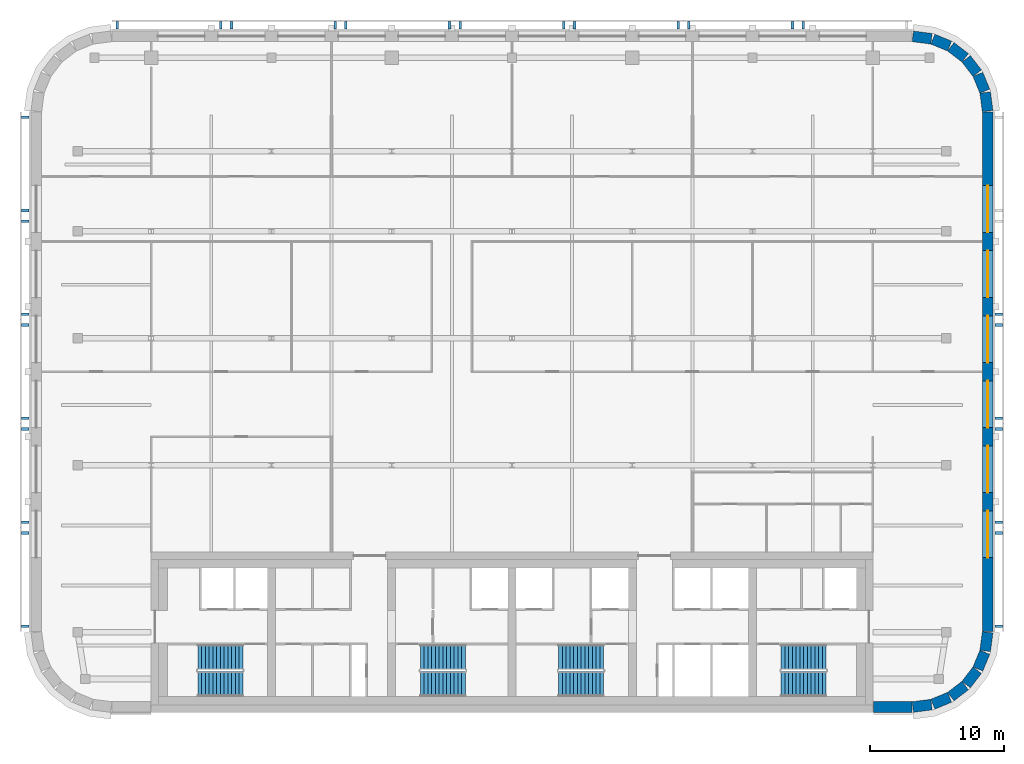
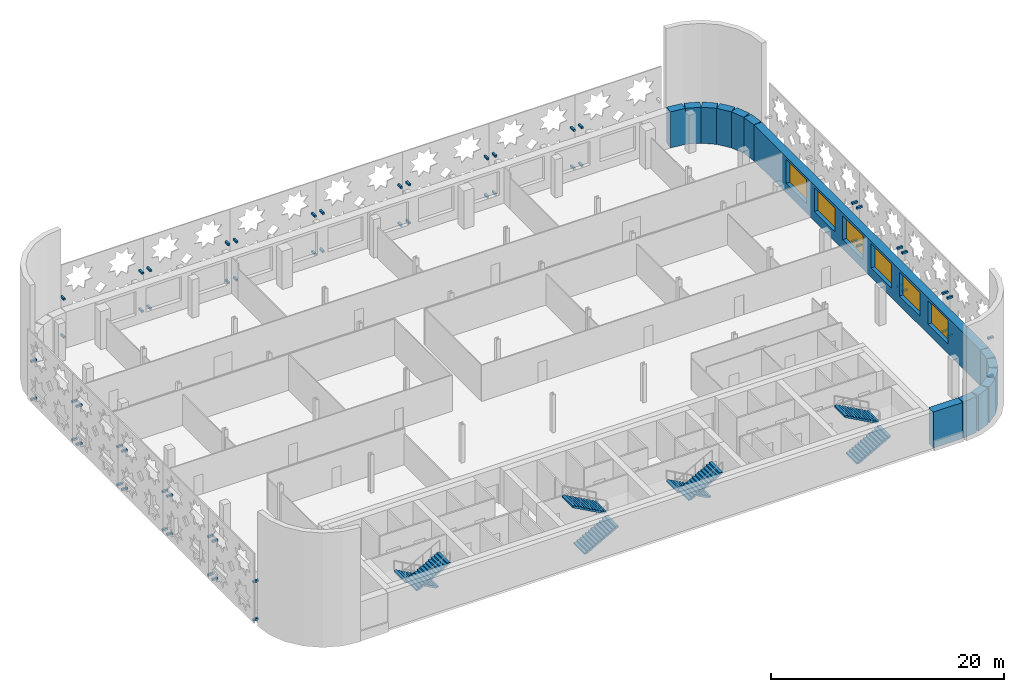
# One storey, part 10 of 16: 60 discrete accessories, 14 walls, 8 stair flights, 6 windows, 6 openings, 4 elements without a shape of their own.
"""IFC4 building model written with IfcOpenShell, lengths in metres."""

from ifc_helpers import new_model, si_unit, direction, frame, frame_2d, origin, origin_2d, place, context, subcontext, project, spatial, polyline, rectangle, outline, extrude, material, layer, layer_set, type_object, element, fill, aggregate, save


model = new_model("IFC4")

# Units and contexts
model_context = context("Model", 3, precision=1e-05, world=origin(), true_north=direction((0.0, 1.0)))
body_context = subcontext(model_context, "Body", "Model", "MODEL_VIEW")
ifc_project = project(units=[si_unit("LENGTHUNIT", "METRE"), si_unit("AREAUNIT", "SQUARE_METRE"), si_unit("VOLUMEUNIT", "CUBIC_METRE"), si_unit("PLANEANGLEUNIT", "RADIAN"), si_unit("MASSUNIT", "GRAM", prefix="KILO")], contexts=[model_context])

# Site, building, storey
site_placement = place(None, origin())
site = spatial("IfcSite", under=ifc_project, at=site_placement, CompositionType="ELEMENT")
building_placement = place(site_placement, origin())
building = spatial("IfcBuilding", under=site, at=building_placement, Name="Zellij Exchange Tower", CompositionType="ELEMENT")
storey_placement = place(building_placement, frame((0.0, 0.0, 272.5)))
storey = spatial("IfcBuildingStorey", under=building, at=storey_placement, Name="L64", CompositionType="ELEMENT", Elevation=272.5)

# Walls
ifc_material_1 = material(Name="Precast concrete C40/50", Category="concrete")
ifc_layer = layer(ifc_material_1, 0.800048828125)
ifc_layer_set = layer_set([ifc_layer], Name="Precast concrete C40/50")
wall_type = type_object("IfcWallType", Name="ENV-EW1 Precast stone-piered wall 800", PredefinedType="SOLIDWALL", material=ifc_layer_set)
wall_1_placement = place(storey_placement, frame((27.050048828125, -13.60009765625, 0.0), z_axis=(0.0, 0.0, 1.0), x_axis=(1.0, 0.0, 0.0)))
element("IfcWall", 1, at=wall_1_placement, inside=storey, type_object=wall_type, Name="fac.L64.00b", PredefinedType="SOLIDWALL", context=body_context, shape_type="SweptSolid", body=[
    extrude(rectangle(XDim=2.8974609375, YDim=0.800048828125, at=frame_2d((1.44873046875, 0.0))), origin(), (0.0, 0.0, 1.0), 3.780029296875),
])
wall_2_placement = place(storey_placement, frame((29.999755859375, -13.5966796875, 0.0), z_axis=(0.0, 0.0, 1.0), x_axis=(0.99144603414, 0.130517283865, 0.0)))
element("IfcWall", 2, at=wall_2_placement, inside=storey, type_object=wall_type, Name="fac.L64.01", PredefinedType="SOLIDWALL", context=body_context, shape_type="SweptSolid", body=[
    extrude(rectangle(XDim=1.408447265625, YDim=0.800048828125, at=frame_2d((0.7041015625, 0.0))), origin(), (0.0, 0.0, 1.0), 3.780029296875),
])
wall_3_placement = place(storey_placement, frame((31.497314453125, -13.3857421875, 0.0), z_axis=(0.0, 0.0, 1.0), x_axis=(0.923847774587, 0.38276009378, 0.0)))
element("IfcWall", 3, at=wall_3_placement, inside=storey, type_object=wall_type, Name="fac.L64.02", PredefinedType="SOLIDWALL", context=body_context, shape_type="SweptSolid", body=[
    extrude(rectangle(XDim=1.35546875, YDim=0.800048828125, at=frame_2d((0.677734375, 0.0))), origin(), (0.0, 0.0, 1.0), 3.780029296875),
])
for number, where, z_axis, x_axis, name in (
    (4, (32.840087890625, -12.814697265625, 0.0), (0.0, 0.0, 1.0), (0.793272915452, 0.608866226366, 0.0), "fac.L64.03"),
    (5, (33.9892578125, -11.91552734375, 0.0), (0.0, 0.0, 1.0), (0.608866226366, 0.793272915452, 0.0), "fac.L64.04"),
):
    element("IfcWall", number, at=place(storey_placement, frame(where, z_axis=z_axis, x_axis=x_axis)), inside=storey, type_object=wall_type, Name=name, PredefinedType="SOLIDWALL", context=body_context, shape_type="SweptSolid", body=[
        extrude(rectangle(XDim=1.355712890625, YDim=0.800048828125, at=frame_2d((0.677734375, 0.0))), origin(), (0.0, 0.0, 1.0), 3.780029296875),
    ])
wall_4_placement = place(storey_placement, frame((34.866943359375, -10.74951171875, 0.0), z_axis=(0.0, 0.0, 1.0), x_axis=(0.38276009378, 0.923847774587, 0.0)))
element("IfcWall", 6, at=wall_4_placement, inside=storey, type_object=wall_type, Name="fac.L64.05", PredefinedType="SOLIDWALL", context=body_context, shape_type="SweptSolid", body=[
    extrude(rectangle(XDim=1.35546875, YDim=0.800048828125, at=frame_2d((0.677734375, 0.0))), origin(), (0.0, 0.0, 1.0), 3.780029296875),
])
wall_5_placement = place(storey_placement, frame((35.412841796875, -9.396240234375, 0.0), z_axis=(0.0, 0.0, 1.0), x_axis=(0.130517283865, 0.99144603414, 0.0)))
element("IfcWall", 7, at=wall_5_placement, inside=storey, type_object=wall_type, Name="fac.L64.06", PredefinedType="SOLIDWALL", context=body_context, shape_type="SweptSolid", body=[
    extrude(rectangle(XDim=1.408447265625, YDim=0.800048828125, at=frame_2d((0.7041015625, 0.0))), origin(), (0.0, 0.0, 1.0), 3.780029296875),
])

# Wall, openings, windows
wall_6_placement = place(storey_placement, frame((35.60009765625, -7.947509765625, 0.0), z_axis=(0.0, 0.0, 1.0), x_axis=(0.0, 1.0, 0.0)))
wall_6 = element("IfcWall", 8, at=wall_6_placement, inside=storey, type_object=wall_type, Name="fac.L64.07", PredefinedType="SOLIDWALL", context=body_context, shape_type="SweptSolid", body=[
    extrude(rectangle(XDim=38.89501953125, YDim=0.800048828125, at=frame_2d((19.447509765625, 0.0))), origin(), (0.0, 0.0, 1.0), 3.780029296875),
])
opening_1_placement = place(wall_6_placement, frame((5.5263671875, 0.0, 1.0)))
opening_1 = element("IfcOpeningElement", 9, at=opening_1_placement, cuts=wall_6, Name="Opening FC1.01", PredefinedType="OPENING", context=body_context, shape_type="SweptSolid", body=[
    extrude(rectangle(XDim=3.5, YDim=2.5, at=frame_2d((1.75, 1.25))), frame((0.0, 0.412109375, 0.0), z_axis=(0.0, -1.0, 0.0), x_axis=(1.0, 0.0, 0.0)), (0.0, 0.0, 1.0), 0.823974609375),
])
opening_2_placement = place(wall_6_placement, frame((10.39501953125, 0.0, 1.0)))
opening_2 = element("IfcOpeningElement", 10, at=opening_2_placement, cuts=wall_6, Name="Opening FC1.02", PredefinedType="OPENING", context=body_context, shape_type="SweptSolid", body=[
    extrude(rectangle(XDim=3.5, YDim=2.5, at=frame_2d((1.75, 1.25))), frame((0.0, 0.412109375, 0.0), z_axis=(0.0, -1.0, 0.0), x_axis=(1.0, 0.0, 0.0)), (0.0, 0.0, 1.0), 0.823974609375),
])
opening_3_placement = place(wall_6_placement, frame((15.26318359375, 0.0, 1.0)))
opening_3 = element("IfcOpeningElement", 11, at=opening_3_placement, cuts=wall_6, Name="Opening FC1.03", PredefinedType="OPENING", context=body_context, shape_type="SweptSolid", body=[
    extrude(rectangle(XDim=3.5, YDim=2.5, at=frame_2d((1.75, 1.25))), frame((0.0, 0.412109375, 0.0), z_axis=(0.0, -1.0, 0.0), x_axis=(1.0, 0.0, 0.0)), (0.0, 0.0, 1.0), 0.823974609375),
])
opening_4_placement = place(wall_6_placement, frame((20.1318359375, 0.0, 1.0)))
opening_4 = element("IfcOpeningElement", 12, at=opening_4_placement, cuts=wall_6, Name="Opening FC1.04", PredefinedType="OPENING", context=body_context, shape_type="SweptSolid", body=[
    extrude(rectangle(XDim=3.5, YDim=2.5, at=frame_2d((1.75, 1.25))), frame((0.0, 0.412109375, 0.0), z_axis=(0.0, -1.0, 0.0), x_axis=(1.0, 0.0, 0.0)), (0.0, 0.0, 1.0), 0.823974609375),
])
opening_5_placement = place(wall_6_placement, frame((25.000244140625, 0.0, 1.0)))
opening_5 = element("IfcOpeningElement", 13, at=opening_5_placement, cuts=wall_6, Name="Opening FC1.05", PredefinedType="OPENING", context=body_context, shape_type="SweptSolid", body=[
    extrude(rectangle(XDim=3.5, YDim=2.5, at=frame_2d((1.75, 1.25))), frame((0.0, 0.412109375, 0.0), z_axis=(0.0, -1.0, 0.0), x_axis=(1.0, 0.0, 0.0)), (0.0, 0.0, 1.0), 0.823974609375),
])
opening_6_placement = place(wall_6_placement, frame((29.86865234375, 0.0, 1.0)))
opening_6 = element("IfcOpeningElement", 14, at=opening_6_placement, cuts=wall_6, Name="Opening FC1.06", PredefinedType="OPENING", context=body_context, shape_type="SweptSolid", body=[
    extrude(rectangle(XDim=3.5, YDim=2.5, at=frame_2d((1.75, 1.25))), frame((0.0, 0.412109375, 0.0), z_axis=(0.0, -1.0, 0.0), x_axis=(1.0, 0.0, 0.0)), (0.0, 0.0, 1.0), 0.823974609375),
])
ifc_material_2 = material(Name="Aluminium frame with insulating glass", Category="aluminium")
window_type = type_object("IfcWindowType", Name="ENV-W1 Window 3500x2500", PartitioningType="SINGLE_PANEL", PredefinedType="WINDOW", material=ifc_material_2)
window_1_placement = place(opening_1_placement, origin())
window_1 = element("IfcWindow", 15, at=window_1_placement, inside=storey, type_object=window_type, Name="Window FC1.01", OverallHeight=2.5, OverallWidth=3.5, PartitioningType="SINGLE_PANEL", PredefinedType="WINDOW", context=body_context, shape_type="SweptSolid", body=[
    extrude(rectangle(XDim=3.5, YDim=2.5, at=frame_2d((1.75, 1.25))), frame((0.0, 0.030029296875, 0.0), z_axis=(0.0, -1.0, 0.0), x_axis=(1.0, 0.0, 0.0)), (0.0, 0.0, 1.0), 0.06005859375),
])
fill(opening_1, window_1)
window_2_placement = place(opening_2_placement, origin())
window_2 = element("IfcWindow", 16, at=window_2_placement, inside=storey, type_object=window_type, Name="Window FC1.02", OverallHeight=2.5, OverallWidth=3.5, PartitioningType="SINGLE_PANEL", PredefinedType="WINDOW", context=body_context, shape_type="SweptSolid", body=[
    extrude(rectangle(XDim=3.5, YDim=2.5, at=frame_2d((1.75, 1.25))), frame((0.0, 0.030029296875, 0.0), z_axis=(0.0, -1.0, 0.0), x_axis=(1.0, 0.0, 0.0)), (0.0, 0.0, 1.0), 0.06005859375),
])
fill(opening_2, window_2)
window_3_placement = place(opening_3_placement, origin())
window_3 = element("IfcWindow", 17, at=window_3_placement, inside=storey, type_object=window_type, Name="Window FC1.03", OverallHeight=2.5, OverallWidth=3.5, PartitioningType="SINGLE_PANEL", PredefinedType="WINDOW", context=body_context, shape_type="SweptSolid", body=[
    extrude(rectangle(XDim=3.5, YDim=2.5, at=frame_2d((1.75, 1.25))), frame((0.0, 0.030029296875, 0.0), z_axis=(0.0, -1.0, 0.0), x_axis=(1.0, 0.0, 0.0)), (0.0, 0.0, 1.0), 0.06005859375),
])
fill(opening_3, window_3)
window_4_placement = place(opening_4_placement, origin())
window_4 = element("IfcWindow", 18, at=window_4_placement, inside=storey, type_object=window_type, Name="Window FC1.04", OverallHeight=2.5, OverallWidth=3.5, PartitioningType="SINGLE_PANEL", PredefinedType="WINDOW", context=body_context, shape_type="SweptSolid", body=[
    extrude(rectangle(XDim=3.5, YDim=2.5, at=frame_2d((1.75, 1.25))), frame((0.0, 0.030029296875, 0.0), z_axis=(0.0, -1.0, 0.0), x_axis=(1.0, 0.0, 0.0)), (0.0, 0.0, 1.0), 0.06005859375),
])
fill(opening_4, window_4)
window_5_placement = place(opening_5_placement, origin())
window_5 = element("IfcWindow", 19, at=window_5_placement, inside=storey, type_object=window_type, Name="Window FC1.05", OverallHeight=2.5, OverallWidth=3.5, PartitioningType="SINGLE_PANEL", PredefinedType="WINDOW", context=body_context, shape_type="SweptSolid", body=[
    extrude(rectangle(XDim=3.5, YDim=2.5, at=frame_2d((1.75, 1.25))), frame((0.0, 0.030029296875, 0.0), z_axis=(0.0, -1.0, 0.0), x_axis=(1.0, 0.0, 0.0)), (0.0, 0.0, 1.0), 0.06005859375),
])
fill(opening_5, window_5)
window_6_placement = place(opening_6_placement, origin())
window_6 = element("IfcWindow", 20, at=window_6_placement, inside=storey, type_object=window_type, Name="Window FC1.06", OverallHeight=2.5, OverallWidth=3.5, PartitioningType="SINGLE_PANEL", PredefinedType="WINDOW", context=body_context, shape_type="SweptSolid", body=[
    extrude(rectangle(XDim=3.5, YDim=2.5, at=frame_2d((1.75, 1.25))), frame((0.0, 0.030029296875, 0.0), z_axis=(0.0, -1.0, 0.0), x_axis=(1.0, 0.0, 0.0)), (0.0, 0.0, 1.0), 0.06005859375),
])
fill(opening_6, window_6)

# Walls
wall_7_placement = place(storey_placement, frame((35.5966796875, 30.999755859375, 0.0), z_axis=(0.0, 0.0, 1.0), x_axis=(-0.130517283865, 0.99144603414, 0.0)))
element("IfcWall", 21, at=wall_7_placement, inside=storey, type_object=wall_type, Name="fac.L64.08", PredefinedType="SOLIDWALL", context=body_context, shape_type="SweptSolid", body=[
    extrude(rectangle(XDim=1.408447265625, YDim=0.800048828125, at=frame_2d((0.7041015625, 0.0))), origin(), (0.0, 0.0, 1.0), 3.780029296875),
])
wall_8_placement = place(storey_placement, frame((35.3857421875, 32.497314453125, 0.0), z_axis=(0.0, 0.0, 1.0), x_axis=(-0.38276009378, 0.923847774587, 0.0)))
element("IfcWall", 22, at=wall_8_placement, inside=storey, type_object=wall_type, Name="fac.L64.09", PredefinedType="SOLIDWALL", context=body_context, shape_type="SweptSolid", body=[
    extrude(rectangle(XDim=1.35546875, YDim=0.800048828125, at=frame_2d((0.677734375, 0.0))), origin(), (0.0, 0.0, 1.0), 3.780029296875),
])
for number, where, z_axis, x_axis, name in (
    (23, (34.814697265625, 33.840087890625, 0.0), (0.0, 0.0, 1.0), (-0.608866226366, 0.793272915452, 0.0), "fac.L64.10"),
    (24, (33.91552734375, 34.9892578125, 0.0), (0.0, 0.0, 1.0), (-0.793272915452, 0.608866226366, 0.0), "fac.L64.11"),
):
    element("IfcWall", number, at=place(storey_placement, frame(where, z_axis=z_axis, x_axis=x_axis)), inside=storey, type_object=wall_type, Name=name, PredefinedType="SOLIDWALL", context=body_context, shape_type="SweptSolid", body=[
        extrude(rectangle(XDim=1.355712890625, YDim=0.800048828125, at=frame_2d((0.677734375, 0.0))), origin(), (0.0, 0.0, 1.0), 3.780029296875),
    ])
wall_9_placement = place(storey_placement, frame((32.74951171875, 35.866943359375, 0.0), z_axis=(0.0, 0.0, 1.0), x_axis=(-0.923847774587, 0.38276009378, 0.0)))
element("IfcWall", 25, at=wall_9_placement, inside=storey, type_object=wall_type, Name="fac.L64.12", PredefinedType="SOLIDWALL", context=body_context, shape_type="SweptSolid", body=[
    extrude(rectangle(XDim=1.35546875, YDim=0.800048828125, at=frame_2d((0.677734375, 0.0))), origin(), (0.0, 0.0, 1.0), 3.780029296875),
])
wall_10_placement = place(storey_placement, frame((31.396240234375, 36.412841796875, 0.0), z_axis=(0.0, 0.0, 1.0), x_axis=(-0.99144603414, 0.130517283865, 0.0)))
element("IfcWall", 26, at=wall_10_placement, inside=storey, type_object=wall_type, Name="fac.L64.13", PredefinedType="SOLIDWALL", context=body_context, shape_type="SweptSolid", body=[
    extrude(rectangle(XDim=1.408447265625, YDim=0.800048828125, at=frame_2d((0.7041015625, 0.0))), origin(), (0.0, 0.0, 1.0), 3.780029296875),
])

# Stair, stair flights
ifc_material_3 = material(Name="Concrete C40/50", Category="concrete")
stair_type = type_object("IfcStairType", Name="CORE-ST exit stair 1850 wide", PredefinedType="HALF_TURN_STAIR", material=ifc_material_3)
stair_1_placement = place(storey_placement, origin())
stair_1 = element("IfcStair", 27, at=stair_1_placement, inside=storey, type_object=stair_type, Name="L64 exit stair ST1", PredefinedType="HALF_TURN_STAIR")
stair_flight_type = type_object("IfcStairFlightType", Name="CORE-SF flight 1850 riser 153.8 going 280", PredefinedType="STRAIGHT", material=ifc_material_3)
stair_flight_1_placement = place(storey_placement, frame((-20.14990234375, -9.875, 0.0), z_axis=(0.0, 0.0, 1.0), x_axis=(-1.0, 0.0, 0.0)))
stair_flight_1 = element("IfcStairFlight", 28, at=stair_flight_1_placement, type_object=stair_flight_type, Name="ST1 flight 1", NumberOfRisers=13, NumberOfTreads=12, PredefinedType="STRAIGHT", RiserHeight=0.153846154, TreadLength=0.28, context=body_context, shape_type="SweptSolid", body=[
    extrude(outline(polyline([(0.0, 0.0), (0.0, 0.15380859375), (0.280029296875, 0.15380859375), (0.280029296875, 0.3076171875), (0.56005859375, 0.3076171875), (0.56005859375, 0.46142578125), (0.840087890625, 0.46142578125), (0.840087890625, 0.615478515625), (1.1201171875, 0.615478515625), (1.1201171875, 0.769287109375), (1.39990234375, 0.769287109375), (1.39990234375, 0.923095703125), (1.679931640625, 0.923095703125), (1.679931640625, 1.076904296875), (1.9599609375, 1.076904296875), (1.9599609375, 1.230712890625), (2.239990234375, 1.230712890625), (2.239990234375, 1.384521484375), (2.52001953125, 1.384521484375), (2.52001953125, 1.53857421875), (2.800048828125, 1.53857421875), (2.800048828125, 1.6923828125), (3.080078125, 1.6923828125), (3.080078125, 1.84619140625), (3.360107421875, 1.84619140625), (3.360107421875, 2.0), (3.360107421875, 1.675048828125), (0.311279296875, 0.0), (0.0, 0.0)])), frame((0.0, 0.925048828125, 0.0), z_axis=(0.0, -1.0, 0.0), x_axis=(1.0, 0.0, 0.0)), (0.0, 0.0, 1.0), 1.85009765625),
])
stair_flight_2_placement = place(storey_placement, frame((-23.510009765625, -11.875, 2.0), z_axis=(0.0, 0.0, 1.0), x_axis=(1.0, 0.0, 0.0)))
stair_flight_2 = element("IfcStairFlight", 29, at=stair_flight_2_placement, type_object=stair_flight_type, Name="ST1 flight 2", NumberOfRisers=13, NumberOfTreads=12, PredefinedType="STRAIGHT", RiserHeight=0.153846154, TreadLength=0.28, context=body_context, shape_type="SweptSolid", body=[
    extrude(outline(polyline([(0.0, 0.0), (0.0, 0.15380859375), (0.280029296875, 0.15380859375), (0.280029296875, 0.3076171875), (0.56005859375, 0.3076171875), (0.56005859375, 0.46142578125), (0.840087890625, 0.46142578125), (0.840087890625, 0.615478515625), (1.1201171875, 0.615478515625), (1.1201171875, 0.769287109375), (1.39990234375, 0.769287109375), (1.39990234375, 0.923095703125), (1.679931640625, 0.923095703125), (1.679931640625, 1.076904296875), (1.9599609375, 1.076904296875), (1.9599609375, 1.230712890625), (2.239990234375, 1.230712890625), (2.239990234375, 1.384521484375), (2.52001953125, 1.384521484375), (2.52001953125, 1.53857421875), (2.800048828125, 1.53857421875), (2.800048828125, 1.6923828125), (3.080078125, 1.6923828125), (3.080078125, 1.84619140625), (3.360107421875, 1.84619140625), (3.360107421875, 2.0), (3.360107421875, 1.675048828125), (0.311279296875, 0.0), (0.0, 0.0)])), frame((0.0, 0.925048828125, 0.0), z_axis=(0.0, -1.0, 0.0), x_axis=(1.0, 0.0, 0.0)), (0.0, 0.0, 1.0), 1.85009765625),
])
aggregate(stair_1, [stair_flight_1, stair_flight_2])

stair_2_placement = place(storey_placement, origin())
stair_2 = element("IfcStair", 30, at=stair_2_placement, inside=storey, type_object=stair_type, Name="L64 exit stair ST2", PredefinedType="HALF_TURN_STAIR")
stair_flight_3_placement = place(storey_placement, frame((-6.85009765625, -11.875, 0.0), z_axis=(0.0, 0.0, 1.0), x_axis=(1.0, 0.0, 0.0)))
stair_flight_3 = element("IfcStairFlight", 31, at=stair_flight_3_placement, type_object=stair_flight_type, Name="ST2 flight 1", NumberOfRisers=13, NumberOfTreads=12, PredefinedType="STRAIGHT", RiserHeight=0.153846154, TreadLength=0.28, context=body_context, shape_type="SweptSolid", body=[
    extrude(outline(polyline([(0.0, 0.0), (0.0, 0.15380859375), (0.280029296875, 0.15380859375), (0.280029296875, 0.3076171875), (0.56005859375, 0.3076171875), (0.56005859375, 0.46142578125), (0.840087890625, 0.46142578125), (0.840087890625, 0.615478515625), (1.1201171875, 0.615478515625), (1.1201171875, 0.769287109375), (1.39990234375, 0.769287109375), (1.39990234375, 0.923095703125), (1.679931640625, 0.923095703125), (1.679931640625, 1.076904296875), (1.9599609375, 1.076904296875), (1.9599609375, 1.230712890625), (2.239990234375, 1.230712890625), (2.239990234375, 1.384521484375), (2.52001953125, 1.384521484375), (2.52001953125, 1.53857421875), (2.800048828125, 1.53857421875), (2.800048828125, 1.6923828125), (3.080078125, 1.6923828125), (3.080078125, 1.84619140625), (3.360107421875, 1.84619140625), (3.360107421875, 2.0), (3.360107421875, 1.675048828125), (0.311279296875, 0.0), (0.0, 0.0)])), frame((0.0, 0.925048828125, 0.0), z_axis=(0.0, -1.0, 0.0), x_axis=(1.0, 0.0, 0.0)), (0.0, 0.0, 1.0), 1.85009765625),
])
stair_flight_4_placement = place(storey_placement, frame((-3.489990234375, -9.875, 2.0), z_axis=(0.0, 0.0, 1.0), x_axis=(-1.0, 0.0, 0.0)))
stair_flight_4 = element("IfcStairFlight", 32, at=stair_flight_4_placement, type_object=stair_flight_type, Name="ST2 flight 2", NumberOfRisers=13, NumberOfTreads=12, PredefinedType="STRAIGHT", RiserHeight=0.153846154, TreadLength=0.28, context=body_context, shape_type="SweptSolid", body=[
    extrude(outline(polyline([(0.0, 0.0), (0.0, 0.15380859375), (0.280029296875, 0.15380859375), (0.280029296875, 0.3076171875), (0.56005859375, 0.3076171875), (0.56005859375, 0.46142578125), (0.840087890625, 0.46142578125), (0.840087890625, 0.615478515625), (1.1201171875, 0.615478515625), (1.1201171875, 0.769287109375), (1.39990234375, 0.769287109375), (1.39990234375, 0.923095703125), (1.679931640625, 0.923095703125), (1.679931640625, 1.076904296875), (1.9599609375, 1.076904296875), (1.9599609375, 1.230712890625), (2.239990234375, 1.230712890625), (2.239990234375, 1.384521484375), (2.52001953125, 1.384521484375), (2.52001953125, 1.53857421875), (2.800048828125, 1.53857421875), (2.800048828125, 1.6923828125), (3.080078125, 1.6923828125), (3.080078125, 1.84619140625), (3.360107421875, 1.84619140625), (3.360107421875, 2.0), (3.360107421875, 1.675048828125), (0.311279296875, 0.0), (0.0, 0.0)])), frame((0.0, 0.925048828125, 0.0), z_axis=(0.0, -1.0, 0.0), x_axis=(1.0, 0.0, 0.0)), (0.0, 0.0, 1.0), 1.85009765625),
])
aggregate(stair_2, [stair_flight_3, stair_flight_4])

stair_3_placement = place(storey_placement, origin())
stair_3 = element("IfcStair", 33, at=stair_3_placement, inside=storey, type_object=stair_type, Name="L64 exit stair ST3", PredefinedType="HALF_TURN_STAIR")
stair_flight_5_placement = place(storey_placement, frame((6.85009765625, -9.875, 0.0), z_axis=(0.0, 0.0, 1.0), x_axis=(-1.0, 0.0, 0.0)))
stair_flight_5 = element("IfcStairFlight", 34, at=stair_flight_5_placement, type_object=stair_flight_type, Name="ST3 flight 1", NumberOfRisers=13, NumberOfTreads=12, PredefinedType="STRAIGHT", RiserHeight=0.153846154, TreadLength=0.28, context=body_context, shape_type="SweptSolid", body=[
    extrude(outline(polyline([(0.0, 0.0), (0.0, 0.15380859375), (0.280029296875, 0.15380859375), (0.280029296875, 0.3076171875), (0.56005859375, 0.3076171875), (0.56005859375, 0.46142578125), (0.840087890625, 0.46142578125), (0.840087890625, 0.615478515625), (1.1201171875, 0.615478515625), (1.1201171875, 0.769287109375), (1.39990234375, 0.769287109375), (1.39990234375, 0.923095703125), (1.679931640625, 0.923095703125), (1.679931640625, 1.076904296875), (1.9599609375, 1.076904296875), (1.9599609375, 1.230712890625), (2.239990234375, 1.230712890625), (2.239990234375, 1.384521484375), (2.52001953125, 1.384521484375), (2.52001953125, 1.53857421875), (2.800048828125, 1.53857421875), (2.800048828125, 1.6923828125), (3.080078125, 1.6923828125), (3.080078125, 1.84619140625), (3.360107421875, 1.84619140625), (3.360107421875, 2.0), (3.360107421875, 1.675048828125), (0.311279296875, 0.0), (0.0, 0.0)])), frame((0.0, 0.925048828125, 0.0), z_axis=(0.0, -1.0, 0.0), x_axis=(1.0, 0.0, 0.0)), (0.0, 0.0, 1.0), 1.85009765625),
])
stair_flight_6_placement = place(storey_placement, frame((3.489990234375, -11.875, 2.0), z_axis=(0.0, 0.0, 1.0), x_axis=(1.0, 0.0, 0.0)))
stair_flight_6 = element("IfcStairFlight", 35, at=stair_flight_6_placement, type_object=stair_flight_type, Name="ST3 flight 2", NumberOfRisers=13, NumberOfTreads=12, PredefinedType="STRAIGHT", RiserHeight=0.153846154, TreadLength=0.28, context=body_context, shape_type="SweptSolid", body=[
    extrude(outline(polyline([(0.0, 0.0), (0.0, 0.15380859375), (0.280029296875, 0.15380859375), (0.280029296875, 0.3076171875), (0.56005859375, 0.3076171875), (0.56005859375, 0.46142578125), (0.840087890625, 0.46142578125), (0.840087890625, 0.615478515625), (1.1201171875, 0.615478515625), (1.1201171875, 0.769287109375), (1.39990234375, 0.769287109375), (1.39990234375, 0.923095703125), (1.679931640625, 0.923095703125), (1.679931640625, 1.076904296875), (1.9599609375, 1.076904296875), (1.9599609375, 1.230712890625), (2.239990234375, 1.230712890625), (2.239990234375, 1.384521484375), (2.52001953125, 1.384521484375), (2.52001953125, 1.53857421875), (2.800048828125, 1.53857421875), (2.800048828125, 1.6923828125), (3.080078125, 1.6923828125), (3.080078125, 1.84619140625), (3.360107421875, 1.84619140625), (3.360107421875, 2.0), (3.360107421875, 1.675048828125), (0.311279296875, 0.0), (0.0, 0.0)])), frame((0.0, 0.925048828125, 0.0), z_axis=(0.0, -1.0, 0.0), x_axis=(1.0, 0.0, 0.0)), (0.0, 0.0, 1.0), 1.85009765625),
])
aggregate(stair_3, [stair_flight_5, stair_flight_6])

stair_4_placement = place(storey_placement, origin())
stair_4 = element("IfcStair", 36, at=stair_4_placement, inside=storey, type_object=stair_type, Name="L64 exit stair ST4", PredefinedType="HALF_TURN_STAIR")
stair_flight_7_placement = place(storey_placement, frame((20.14990234375, -11.875, 0.0), z_axis=(0.0, 0.0, 1.0), x_axis=(1.0, 0.0, 0.0)))
stair_flight_7 = element("IfcStairFlight", 37, at=stair_flight_7_placement, type_object=stair_flight_type, Name="ST4 flight 1", NumberOfRisers=13, NumberOfTreads=12, PredefinedType="STRAIGHT", RiserHeight=0.153846154, TreadLength=0.28, context=body_context, shape_type="SweptSolid", body=[
    extrude(outline(polyline([(0.0, 0.0), (0.0, 0.15380859375), (0.280029296875, 0.15380859375), (0.280029296875, 0.3076171875), (0.56005859375, 0.3076171875), (0.56005859375, 0.46142578125), (0.840087890625, 0.46142578125), (0.840087890625, 0.615478515625), (1.1201171875, 0.615478515625), (1.1201171875, 0.769287109375), (1.39990234375, 0.769287109375), (1.39990234375, 0.923095703125), (1.679931640625, 0.923095703125), (1.679931640625, 1.076904296875), (1.9599609375, 1.076904296875), (1.9599609375, 1.230712890625), (2.239990234375, 1.230712890625), (2.239990234375, 1.384521484375), (2.52001953125, 1.384521484375), (2.52001953125, 1.53857421875), (2.800048828125, 1.53857421875), (2.800048828125, 1.6923828125), (3.080078125, 1.6923828125), (3.080078125, 1.84619140625), (3.360107421875, 1.84619140625), (3.360107421875, 2.0), (3.360107421875, 1.675048828125), (0.311279296875, 0.0), (0.0, 0.0)])), frame((0.0, 0.925048828125, 0.0), z_axis=(0.0, -1.0, 0.0), x_axis=(1.0, 0.0, 0.0)), (0.0, 0.0, 1.0), 1.85009765625),
])
stair_flight_8_placement = place(storey_placement, frame((23.510009765625, -9.875, 2.0), z_axis=(0.0, 0.0, 1.0), x_axis=(-1.0, 0.0, 0.0)))
stair_flight_8 = element("IfcStairFlight", 38, at=stair_flight_8_placement, type_object=stair_flight_type, Name="ST4 flight 2", NumberOfRisers=13, NumberOfTreads=12, PredefinedType="STRAIGHT", RiserHeight=0.153846154, TreadLength=0.28, context=body_context, shape_type="SweptSolid", body=[
    extrude(outline(polyline([(0.0, 0.0), (0.0, 0.15380859375), (0.280029296875, 0.15380859375), (0.280029296875, 0.3076171875), (0.56005859375, 0.3076171875), (0.56005859375, 0.46142578125), (0.840087890625, 0.46142578125), (0.840087890625, 0.615478515625), (1.1201171875, 0.615478515625), (1.1201171875, 0.769287109375), (1.39990234375, 0.769287109375), (1.39990234375, 0.923095703125), (1.679931640625, 0.923095703125), (1.679931640625, 1.076904296875), (1.9599609375, 1.076904296875), (1.9599609375, 1.230712890625), (2.239990234375, 1.230712890625), (2.239990234375, 1.384521484375), (2.52001953125, 1.384521484375), (2.52001953125, 1.53857421875), (2.800048828125, 1.53857421875), (2.800048828125, 1.6923828125), (3.080078125, 1.6923828125), (3.080078125, 1.84619140625), (3.360107421875, 1.84619140625), (3.360107421875, 2.0), (3.360107421875, 1.675048828125), (0.311279296875, 0.0), (0.0, 0.0)])), frame((0.0, 0.925048828125, 0.0), z_axis=(0.0, -1.0, 0.0), x_axis=(1.0, 0.0, 0.0)), (0.0, 0.0, 1.0), 1.85009765625),
])
aggregate(stair_4, [stair_flight_7, stair_flight_8])

# Discrete accessories
ifc_material_4 = material(Name="Stainless steel", Category="steel")
discrete_accessory_type = type_object("IfcDiscreteAccessoryType", Name="ENV-BR1 Stone panel bracket 200", PredefinedType="USERDEFINED", material=ifc_material_4)
for number, where, z_axis, x_axis, name in (
    (39, (-36.425048828125, 30.547607421875, 0.2998046875), (0.0, 0.0, 1.0), (0.0, -1.0, 0.0), "Panel bracket"),
    (40, (-36.425048828125, 23.568603515625, 0.2998046875), (0.0, 0.0, 1.0), (0.0, -1.0, 0.0), "Panel bracket"),
    (41, (-36.425048828125, 30.547607421875, 4.2998046875), (0.0, 0.0, 1.0), (0.0, -1.0, 0.0), "Panel bracket"),
    (42, (-36.425048828125, 23.568603515625, 4.2998046875), (0.0, 0.0, 1.0), (0.0, -1.0, 0.0), "Panel bracket"),
    (43, (-36.425048828125, 22.7685546875, 0.2998046875), (0.0, 0.0, 1.0), (0.0, -1.0, 0.0), "Panel bracket"),
    (44, (-36.425048828125, 15.78955078125, 0.2998046875), (0.0, 0.0, 1.0), (0.0, -1.0, 0.0), "Panel bracket"),
    (45, (-36.425048828125, 22.7685546875, 4.2998046875), (0.0, 0.0, 1.0), (0.0, -1.0, 0.0), "Panel bracket"),
    (46, (-36.425048828125, 15.78955078125, 4.2998046875), (0.0, 0.0, 1.0), (0.0, -1.0, 0.0), "Panel bracket"),
    (47, (-36.425048828125, 14.989501953125, 0.2998046875), (0.0, 0.0, 1.0), (0.0, -1.0, 0.0), "Panel bracket"),
    (48, (-36.425048828125, 8.010498046875, 0.2998046875), (0.0, 0.0, 1.0), (0.0, -1.0, 0.0), "Panel bracket"),
    (49, (-36.425048828125, 14.989501953125, 4.2998046875), (0.0, 0.0, 1.0), (0.0, -1.0, 0.0), "Panel bracket"),
    (50, (-36.425048828125, 8.010498046875, 4.2998046875), (0.0, 0.0, 1.0), (0.0, -1.0, 0.0), "Panel bracket"),
    (51, (-36.425048828125, 7.21044921875, 0.2998046875), (0.0, 0.0, 1.0), (0.0, -1.0, 0.0), "Panel bracket"),
    (52, (-36.425048828125, 0.2314453125, 0.2998046875), (0.0, 0.0, 1.0), (0.0, -1.0, 0.0), "Panel bracket"),
    (53, (-36.425048828125, 7.21044921875, 4.2998046875), (0.0, 0.0, 1.0), (0.0, -1.0, 0.0), "Panel bracket"),
    (54, (-36.425048828125, 0.2314453125, 4.2998046875), (0.0, 0.0, 1.0), (0.0, -1.0, 0.0), "Panel bracket"),
    (55, (-36.425048828125, -0.568603515625, 0.2998046875), (0.0, 0.0, 1.0), (0.0, -1.0, 0.0), "Panel bracket"),
    (56, (-36.425048828125, -7.547607421875, 0.2998046875), (0.0, 0.0, 1.0), (0.0, -1.0, 0.0), "Panel bracket"),
    (57, (-36.425048828125, -0.568603515625, 4.2998046875), (0.0, 0.0, 1.0), (0.0, -1.0, 0.0), "Panel bracket"),
    (58, (-36.425048828125, -7.547607421875, 4.2998046875), (0.0, 0.0, 1.0), (0.0, -1.0, 0.0), "Panel bracket"),
    (59, (21.791015625, 37.425048828125, 0.2998046875), (0.0, 0.0, 1.0), (-1.0, 0.0, 0.0), "Panel bracket"),
    (60, (21.791015625, 37.425048828125, 4.2998046875), (0.0, 0.0, 1.0), (-1.0, 0.0, 0.0), "Panel bracket"),
    (61, (20.9912109375, 37.425048828125, 0.2998046875), (0.0, 0.0, 1.0), (-1.0, 0.0, 0.0), "Panel bracket"),
    (62, (13.234619140625, 37.425048828125, 0.2998046875), (0.0, 0.0, 1.0), (-1.0, 0.0, 0.0), "Panel bracket"),
    (63, (20.9912109375, 37.425048828125, 4.2998046875), (0.0, 0.0, 1.0), (-1.0, 0.0, 0.0), "Panel bracket"),
    (64, (13.234619140625, 37.425048828125, 4.2998046875), (0.0, 0.0, 1.0), (-1.0, 0.0, 0.0), "Panel bracket"),
    (65, (12.434814453125, 37.425048828125, 0.2998046875), (0.0, 0.0, 1.0), (-1.0, 0.0, 0.0), "Panel bracket"),
    (66, (4.67822265625, 37.425048828125, 0.2998046875), (0.0, 0.0, 1.0), (-1.0, 0.0, 0.0), "Panel bracket"),
    (67, (12.434814453125, 37.425048828125, 4.2998046875), (0.0, 0.0, 1.0), (-1.0, 0.0, 0.0), "Panel bracket"),
    (68, (4.67822265625, 37.425048828125, 4.2998046875), (0.0, 0.0, 1.0), (-1.0, 0.0, 0.0), "Panel bracket"),
    (69, (3.878173828125, 37.425048828125, 0.2998046875), (0.0, 0.0, 1.0), (-1.0, 0.0, 0.0), "Panel bracket"),
    (70, (-3.878173828125, 37.425048828125, 0.2998046875), (0.0, 0.0, 1.0), (-1.0, 0.0, 0.0), "Panel bracket"),
    (71, (3.878173828125, 37.425048828125, 4.2998046875), (0.0, 0.0, 1.0), (-1.0, 0.0, 0.0), "Panel bracket"),
    (72, (-3.878173828125, 37.425048828125, 4.2998046875), (0.0, 0.0, 1.0), (-1.0, 0.0, 0.0), "Panel bracket"),
    (73, (-4.67822265625, 37.425048828125, 0.2998046875), (0.0, 0.0, 1.0), (-1.0, 0.0, 0.0), "Panel bracket"),
    (74, (-12.434814453125, 37.425048828125, 0.2998046875), (0.0, 0.0, 1.0), (-1.0, 0.0, 0.0), "Panel bracket"),
    (75, (-4.67822265625, 37.425048828125, 4.2998046875), (0.0, 0.0, 1.0), (-1.0, 0.0, 0.0), "Panel bracket"),
    (76, (-12.434814453125, 37.425048828125, 4.2998046875), (0.0, 0.0, 1.0), (-1.0, 0.0, 0.0), "Panel bracket"),
    (77, (-13.234619140625, 37.425048828125, 0.2998046875), (0.0, 0.0, 1.0), (-1.0, 0.0, 0.0), "Panel bracket"),
    (78, (-20.9912109375, 37.425048828125, 0.2998046875), (0.0, 0.0, 1.0), (-1.0, 0.0, 0.0), "Panel bracket"),
    (79, (-13.234619140625, 37.425048828125, 4.2998046875), (0.0, 0.0, 1.0), (-1.0, 0.0, 0.0), "Panel bracket"),
    (80, (-20.9912109375, 37.425048828125, 4.2998046875), (0.0, 0.0, 1.0), (-1.0, 0.0, 0.0), "Panel bracket"),
    (81, (-21.791015625, 37.425048828125, 0.2998046875), (0.0, 0.0, 1.0), (-1.0, 0.0, 0.0), "Panel bracket"),
    (82, (-29.547607421875, 37.425048828125, 0.2998046875), (0.0, 0.0, 1.0), (-1.0, 0.0, 0.0), "Panel bracket"),
    (83, (-21.791015625, 37.425048828125, 4.2998046875), (0.0, 0.0, 1.0), (-1.0, 0.0, 0.0), "Panel bracket"),
    (84, (-29.547607421875, 37.425048828125, 4.2998046875), (0.0, 0.0, 1.0), (-1.0, 0.0, 0.0), "Panel bracket"),
    (85, (36.425048828125, -7.547607421875, 0.2998046875), (0.0, 0.0, 1.0), (0.0, 1.0, 0.0), "Panel bracket"),
    (86, (36.425048828125, -0.568603515625, 0.2998046875), (0.0, 0.0, 1.0), (0.0, 1.0, 0.0), "Panel bracket"),
    (87, (36.425048828125, -7.547607421875, 4.2998046875), (0.0, 0.0, 1.0), (0.0, 1.0, 0.0), "Panel bracket"),
    (88, (36.425048828125, -0.568603515625, 4.2998046875), (0.0, 0.0, 1.0), (0.0, 1.0, 0.0), "Panel bracket"),
    (89, (36.425048828125, 0.2314453125, 0.2998046875), (0.0, 0.0, 1.0), (0.0, 1.0, 0.0), "Panel bracket"),
    (90, (36.425048828125, 7.21044921875, 0.2998046875), (0.0, 0.0, 1.0), (0.0, 1.0, 0.0), "Panel bracket"),
    (91, (36.425048828125, 0.2314453125, 4.2998046875), (0.0, 0.0, 1.0), (0.0, 1.0, 0.0), "Panel bracket"),
    (92, (36.425048828125, 7.21044921875, 4.2998046875), (0.0, 0.0, 1.0), (0.0, 1.0, 0.0), "Panel bracket"),
    (93, (36.425048828125, 8.010498046875, 0.2998046875), (0.0, 0.0, 1.0), (0.0, 1.0, 0.0), "Panel bracket"),
    (94, (36.425048828125, 14.989501953125, 0.2998046875), (0.0, 0.0, 1.0), (0.0, 1.0, 0.0), "Panel bracket"),
    (95, (36.425048828125, 8.010498046875, 4.2998046875), (0.0, 0.0, 1.0), (0.0, 1.0, 0.0), "Panel bracket"),
    (96, (36.425048828125, 14.989501953125, 4.2998046875), (0.0, 0.0, 1.0), (0.0, 1.0, 0.0), "Panel bracket"),
    (97, (36.425048828125, 15.78955078125, 0.2998046875), (0.0, 0.0, 1.0), (0.0, 1.0, 0.0), "Panel bracket"),
    (98, (36.425048828125, 15.78955078125, 4.2998046875), (0.0, 0.0, 1.0), (0.0, 1.0, 0.0), "Panel bracket"),
):
    element("IfcDiscreteAccessory", number, at=place(storey_placement, frame(where, z_axis=z_axis, x_axis=x_axis)), inside=storey, type_object=discrete_accessory_type, Name=name, ObjectType="BRACKET", PredefinedType="USERDEFINED", context=body_context, shape_type="SweptSolid", body=[
        extrude(rectangle(XDim=0.199951171875, YDim=0.550048828125, at=origin_2d()), origin(), (0.0, 0.0, 1.0), 0.199951171875),
    ])

save(model, "model.ifc")
